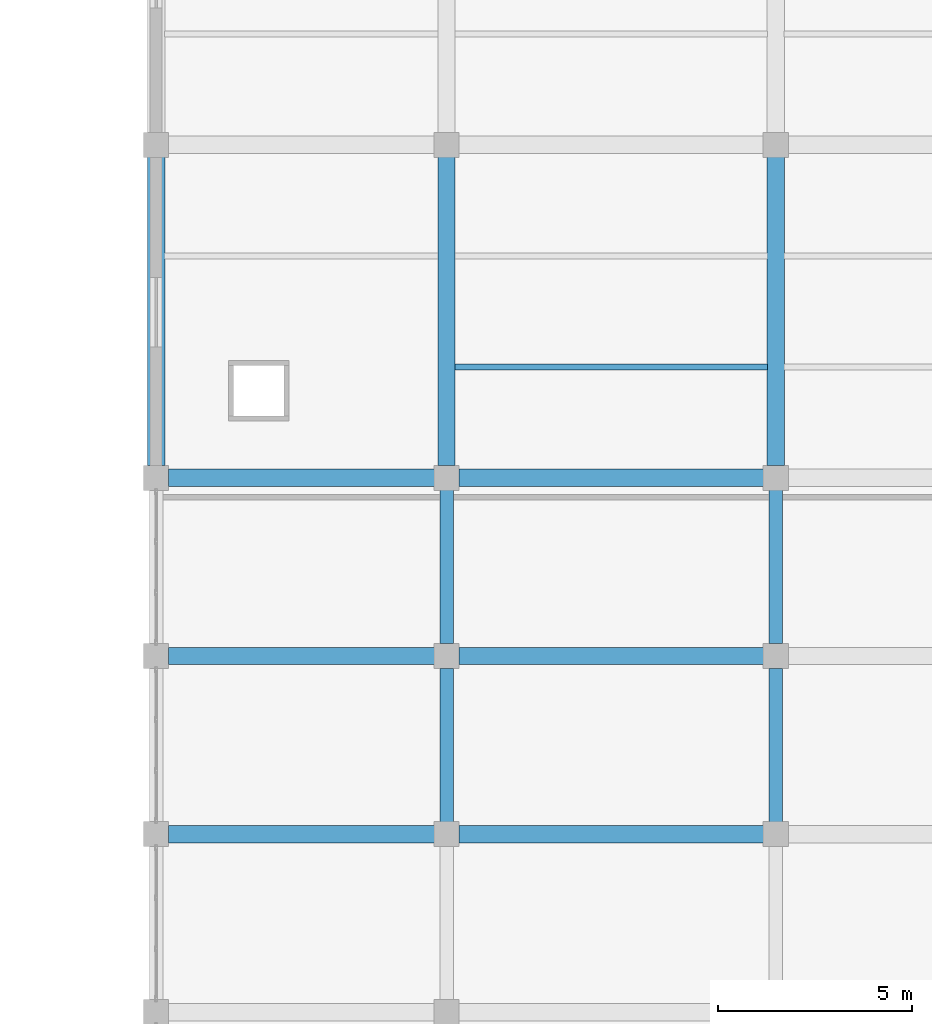
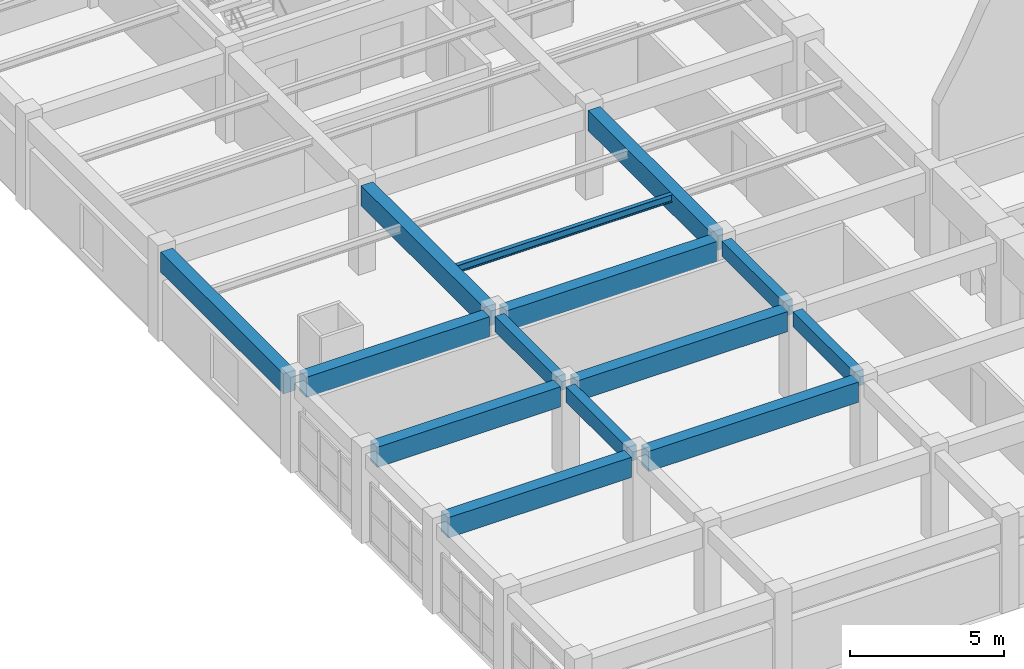
# One storey, part 13 of 74: 14 beams.
"""IFC4 building model written with IfcOpenShell, lengths in metres."""

from ifc_helpers import new_model, si_unit, direction, frame, origin, origin_2d, place, context, subcontext, project, spatial, rectangle, i_section, extrude, material, material_profile, profile_set, type_object, element, save


model = new_model("IFC4")

# Units and contexts
model_context = context("Model", 3, precision=1e-05, world=origin(), true_north=direction((0.0, 1.0)))
body_context = subcontext(model_context, "Body", "Model", "MODEL_VIEW")
ifc_project = project(units=[si_unit("LENGTHUNIT", "METRE"), si_unit("AREAUNIT", "SQUARE_METRE"), si_unit("VOLUMEUNIT", "CUBIC_METRE"), si_unit("PLANEANGLEUNIT", "RADIAN"), si_unit("MASSUNIT", "GRAM", prefix="KILO")], contexts=[model_context])

# Site, building, storey
site_placement = place(None, origin())
site = spatial("IfcSite", under=ifc_project, at=site_placement, CompositionType="ELEMENT")
building_placement = place(site_placement, origin())
building = spatial("IfcBuilding", under=site, at=building_placement, Name="Muzn Square Opera House", CompositionType="ELEMENT")
storey_placement = place(building_placement, frame((0.0, 0.0, 14.199951171875)))
storey = spatial("IfcBuildingStorey", under=building, at=storey_placement, Name="L03", CompositionType="ELEMENT", Elevation=14.199951171875)

# Beams
ifc_material_1 = material(Name="Concrete C40/50", Category="concrete")
ifc_material_profile_1 = material_profile(ifc_material_1, rectangle(XDim=0.35009765625, YDim=0.60009765625, at=origin_2d()), Name="RCB 350x600", Category="concrete")
ifc_profile_set_1 = profile_set([ifc_material_profile_1], Name="Concrete C40/50")
beam_type_1 = type_object("IfcBeamType", Name="Primary Girder 350x600", PredefinedType="BEAM", material=ifc_profile_set_1)
for number, where, z_axis, x_axis, name in (
    (1, (26.5, 63.717041015625, 3.239990234375), (0.0, 1.0, 0.0), (-1.0, 0.0, 0.0), "Primary Girder BM-L03-BM-PG600-265_637_265_677-2529"),
    (2, (26.5, 68.31689453125, 3.239990234375), (0.0, 1.0, 0.0), (-1.0, 0.0, 0.0), "Primary Girder BM-L03-BM-PG600-265_683_265_723-2530"),
    (3, (35.0, 63.717041015625, 3.239990234375), (0.0, 1.0, 0.0), (-1.0, 0.0, 0.0), "Primary Girder BM-L03-BM-PG600-350_637_350_677-2536"),
    (4, (35.0, 68.31689453125, 3.239990234375), (0.0, 1.0, 0.0), (-1.0, 0.0, 0.0), "Primary Girder BM-L03-BM-PG600-350_683_350_723-2537"),
):
    element("IfcBeam", number, at=place(storey_placement, frame(where, z_axis=z_axis, x_axis=x_axis)), inside=storey, type_object=beam_type_1, Name=name, PredefinedType="BEAM", context=body_context, shape_type="SweptSolid", body=[
        extrude(rectangle(XDim=0.35009765625, YDim=0.60009765625, at=origin_2d()), origin(), (0.0, 0.0, 1.0), 3.966064453125),
    ])
ifc_material_profile_2 = material_profile(ifc_material_1, rectangle(XDim=0.449951171875, YDim=0.800048828125, at=origin_2d()), Name="RCB 450x800", Category="concrete")
ifc_profile_set_2 = profile_set([ifc_material_profile_2], Name="Concrete C40/50")
beam_type_2 = type_object("IfcBeamType", Name="Primary Girder 450x800", PredefinedType="BEAM", material=ifc_profile_set_2)
beam_1_placement = place(storey_placement, frame((19.31689453125, 63.39990234375, 3.14013671875), z_axis=(1.0, 0.0, 0.0), x_axis=(0.0, 1.0, 0.0)))
element("IfcBeam", 5, at=beam_1_placement, inside=storey, type_object=beam_type_2, Name="Primary Girder BM-L03-BM-PG800-193_634_262_634-2463", PredefinedType="BEAM", context=body_context, shape_type="SweptSolid", body=[
    extrude(rectangle(XDim=0.449951171875, YDim=0.800048828125, at=origin_2d()), origin(), (0.0, 0.0, 1.0), 6.8662109375),
])
beam_2_placement = place(storey_placement, frame((26.81689453125, 63.39990234375, 3.14013671875), z_axis=(1.0, 0.0, 0.0), x_axis=(0.0, 1.0, 0.0)))
element("IfcBeam", 6, at=beam_2_placement, inside=storey, type_object=beam_type_2, Name="Primary Girder BM-L03-BM-PG800-268_634_347_634-2464", PredefinedType="BEAM", context=body_context, shape_type="SweptSolid", body=[
    extrude(rectangle(XDim=0.449951171875, YDim=0.800048828125, at=origin_2d()), origin(), (0.0, 0.0, 1.0), 7.8662109375),
])
beam_3_placement = place(storey_placement, frame((19.31689453125, 68.0, 3.14013671875), z_axis=(1.0, 0.0, 0.0), x_axis=(0.0, 1.0, 0.0)))
element("IfcBeam", 7, at=beam_3_placement, inside=storey, type_object=beam_type_2, Name="Primary Girder BM-L03-BM-PG800-193_680_262_680-2473", PredefinedType="BEAM", context=body_context, shape_type="SweptSolid", body=[
    extrude(rectangle(XDim=0.449951171875, YDim=0.800048828125, at=origin_2d()), origin(), (0.0, 0.0, 1.0), 6.8662109375),
])
beam_4_placement = place(storey_placement, frame((26.81689453125, 68.0, 3.14013671875), z_axis=(1.0, 0.0, 0.0), x_axis=(0.0, 1.0, 0.0)))
element("IfcBeam", 8, at=beam_4_placement, inside=storey, type_object=beam_type_2, Name="Primary Girder BM-L03-BM-PG800-268_680_347_680-2474", PredefinedType="BEAM", context=body_context, shape_type="SweptSolid", body=[
    extrude(rectangle(XDim=0.449951171875, YDim=0.800048828125, at=origin_2d()), origin(), (0.0, 0.0, 1.0), 7.8662109375),
])
beam_5_placement = place(storey_placement, frame((19.31689453125, 72.60009765625, 3.1201171875), z_axis=(1.0, 0.0, 0.0), x_axis=(0.0, 1.0, 0.0)))
element("IfcBeam", 9, at=beam_5_placement, inside=storey, type_object=beam_type_2, Name="Primary Girder BM-L03-BM-PG800-193_726_262_726-2485", PredefinedType="BEAM", context=body_context, shape_type="SweptSolid", body=[
    extrude(rectangle(XDim=0.449951171875, YDim=0.800048828125, at=origin_2d()), origin(), (0.0, 0.0, 1.0), 6.8662109375),
])
beam_6_placement = place(storey_placement, frame((26.81689453125, 72.60009765625, 3.1201171875), z_axis=(1.0, 0.0, 0.0), x_axis=(0.0, 1.0, 0.0)))
element("IfcBeam", 10, at=beam_6_placement, inside=storey, type_object=beam_type_2, Name="Primary Girder BM-L03-BM-PG800-268_726_347_726-2486", PredefinedType="BEAM", context=body_context, shape_type="SweptSolid", body=[
    extrude(rectangle(XDim=0.449951171875, YDim=0.800048828125, at=origin_2d()), origin(), (0.0, 0.0, 1.0), 7.8662109375),
])
for number, where, z_axis, x_axis, name in (
    (11, (19.0, 72.9169921875, 3.1201171875), (0.0, 1.0, 0.0), (-1.0, 0.0, 0.0), "Primary Girder BM-L03-BM-PG800-190_729_190_809-2524"),
    (12, (26.5, 72.9169921875, 3.1201171875), (0.0, 1.0, 0.0), (-1.0, 0.0, 0.0), "Primary Girder BM-L03-BM-PG800-265_729_265_809-2531"),
    (13, (35.0, 72.9169921875, 3.1201171875), (0.0, 1.0, 0.0), (-1.0, 0.0, 0.0), "Primary Girder BM-L03-BM-PG800-350_729_350_809-2538"),
):
    element("IfcBeam", number, at=place(storey_placement, frame(where, z_axis=z_axis, x_axis=x_axis)), inside=storey, type_object=beam_type_2, Name=name, PredefinedType="BEAM", context=body_context, shape_type="SweptSolid", body=[
        extrude(rectangle(XDim=0.449951171875, YDim=0.800048828125, at=origin_2d()), origin(), (0.0, 0.0, 1.0), 7.966064453125),
    ])
ifc_material_2 = material(Name="Steel S355", Category="steel")
ifc_material_profile_3 = material_profile(ifc_material_2, i_section(OverallWidth=0.14990234375, OverallDepth=0.300048828125, WebThickness=0.007080078125, FlangeThickness=0.0107421875, FilletRadius=0.014892578125, at=origin_2d()), Name="IPE 300", Category="steel")
ifc_profile_set_3 = profile_set([ifc_material_profile_3], Name="Steel S355")
beam_type_3 = type_object("IfcBeamType", Name="Secondary Steel Joist IPE300", PredefinedType="JOIST", material=ifc_profile_set_3)
beam_7_placement = place(storey_placement, frame((26.717041015625, 75.466796875, 3.3701171875), z_axis=(1.0, 0.0, 0.0), x_axis=(0.0, 1.0, 0.0)))
element("IfcBeam", 14, at=beam_7_placement, inside=storey, type_object=beam_type_3, Name="Floor Joist BM-L03-BM-SJ300-267_755_348_755-2642", PredefinedType="JOIST", context=body_context, shape_type="SweptSolid", body=[
    extrude(i_section(OverallWidth=0.14990234375, OverallDepth=0.300048828125, WebThickness=0.007080078125, FlangeThickness=0.0107421875, FilletRadius=0.014892578125, at=origin_2d()), origin(), (0.0, 0.0, 1.0), 8.06591796875),
])

save(model, "model.ifc")
